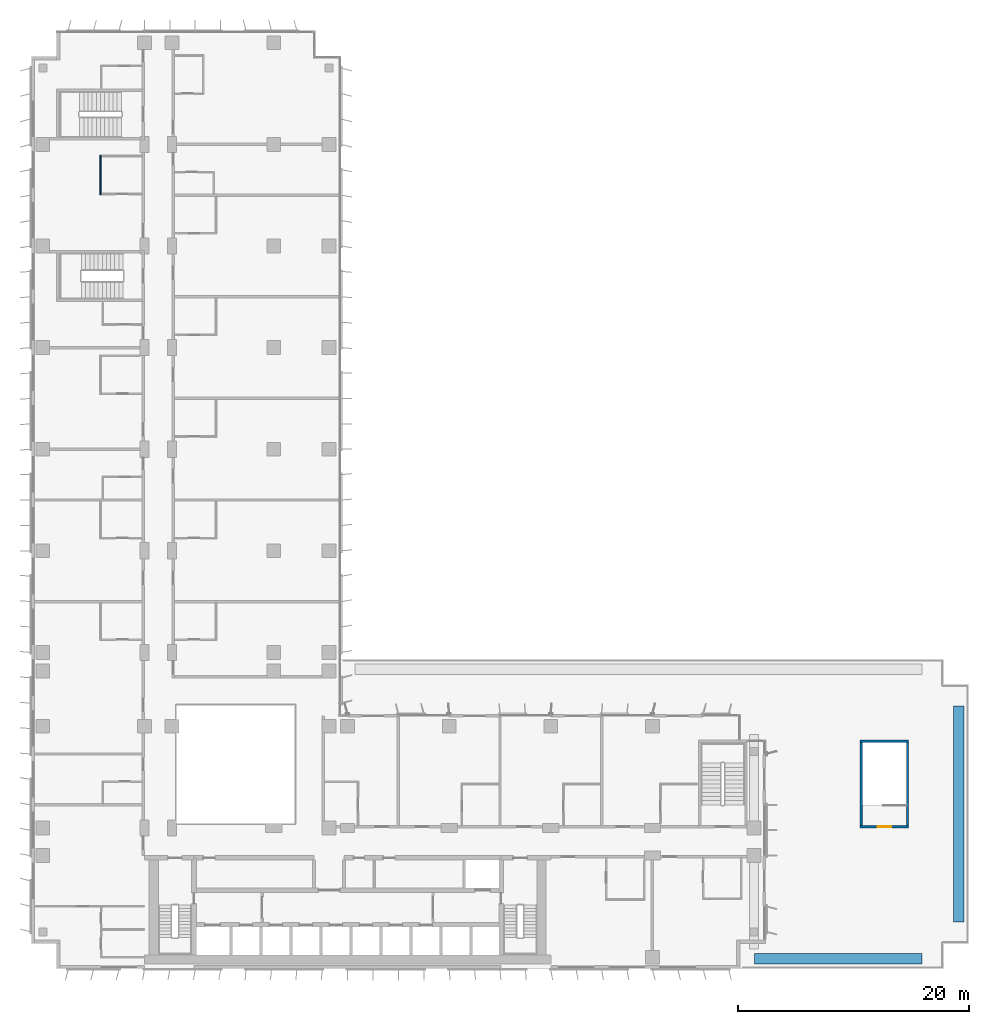
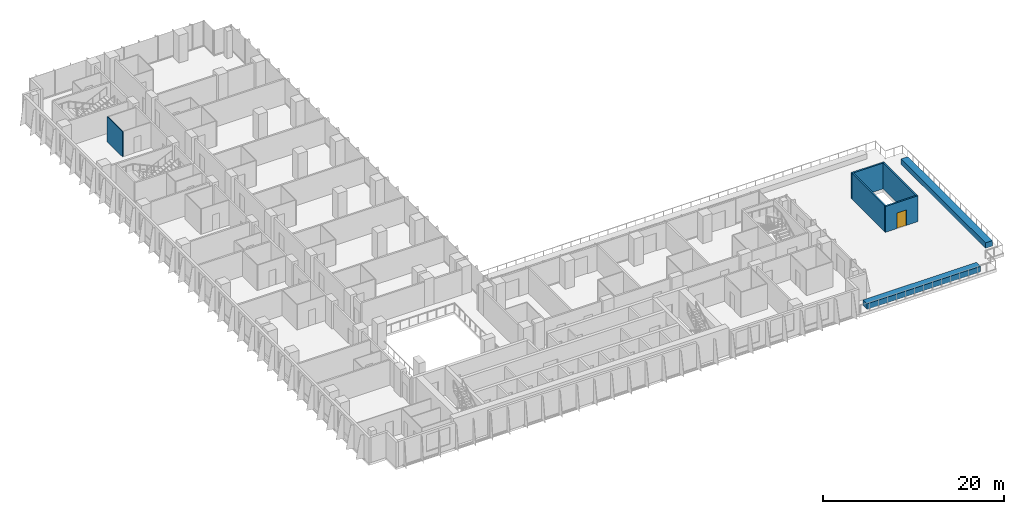
# One storey, part 20 of 27: 7 walls, 1 door, 1 opening.
"""IFC4 building model written with IfcOpenShell, lengths in metres."""

from ifc_helpers import new_model, si_unit, direction, frame, frame_2d, origin, place, context, subcontext, project, spatial, rectangle, extrude, material, layer, layer_set, type_object, element, fill, save


model = new_model("IFC4")

# Units and contexts
model_context = context("Model", 3, precision=1e-05, world=origin(), true_north=direction((0.0, 1.0)))
body_context = subcontext(model_context, "Body", "Model", "MODEL_VIEW")
ifc_project = project(units=[si_unit("LENGTHUNIT", "METRE"), si_unit("AREAUNIT", "SQUARE_METRE"), si_unit("VOLUMEUNIT", "CUBIC_METRE"), si_unit("PLANEANGLEUNIT", "RADIAN"), si_unit("MASSUNIT", "GRAM", prefix="KILO")], contexts=[model_context])

# Site, building, storey
site_placement = place(None, origin())
site = spatial("IfcSite", under=ifc_project, at=site_placement, CompositionType="ELEMENT")
building_placement = place(site_placement, origin())
building = spatial("IfcBuilding", under=site, at=building_placement, Name="Kemantara Hotel Tower", CompositionType="ELEMENT")
storey_placement = place(building_placement, frame((0.0, 0.0, 83.39990234375)))
storey = spatial("IfcBuildingStorey", under=building, at=storey_placement, Name="L19", CompositionType="ELEMENT", Elevation=83.39990234375)

# Wall, opening, door
ifc_material_1 = material(Name="Concrete fc 40 MPa", Category="concrete")
ifc_layer_1 = layer(ifc_material_1, 0.199951171875)
ifc_layer_set_1 = layer_set([ifc_layer_1], Name="Concrete fc 40 MPa")
wall_type_1 = type_object("IfcWallType", Name="Concrete stair wall 200 mm", PredefinedType="SHEAR", material=ifc_layer_set_1)
wall_1_placement = place(storey_placement, frame((71.800048828125, 12.300048828125, 0.0), z_axis=(0.0, 0.0, 1.0), x_axis=(1.0, 0.0, 0.0)))
wall_1 = element("IfcWall", 1, at=wall_1_placement, inside=storey, type_object=wall_type_1, Name="Stair ST5 enclosure wall with door", PredefinedType="SHEAR", context=body_context, shape_type="SweptSolid", body=[
    extrude(rectangle(XDim=4.199951171875, YDim=0.199951171875, at=frame_2d((2.10009765625, 0.0))), origin(), (0.0, 0.0, 1.0), 3.5),
])
opening_placement = place(wall_1_placement, frame((1.5, 0.0, 0.0)))
opening = element("IfcOpeningElement", 2, at=opening_placement, cuts=wall_1, Name="Opening ST5-C", PredefinedType="OPENING", context=body_context, shape_type="SweptSolid", body=[
    extrude(rectangle(XDim=1.199951171875, YDim=2.10009765625, at=frame_2d((0.60009765625, 1.050048828125))), frame((0.0, 0.10986328125, 0.0), z_axis=(0.0, -1.0, 0.0), x_axis=(1.0, 0.0, 0.0)), (0.0, 0.0, 1.0), 0.219970703125),
])
ifc_material_2 = material(Name="Steel fire door", Category="steel")
door_type = type_object("IfcDoorType", Name="Fire door FD90 1200 x 2100", OperationType="NOTDEFINED", PredefinedType="DOOR", material=ifc_material_2)
door_placement = place(opening_placement, frame((1.199951171875, 0.0, 0.0), z_axis=(0.0, 0.0, 1.0), x_axis=(-1.0, 0.0, 0.0)))
door = element("IfcDoor", 3, at=door_placement, inside=storey, type_object=door_type, Name="Stair ST5 door to terrace", OperationType="SINGLE_SWING_LEFT", OverallHeight=2.10009765625, OverallWidth=1.199951171875, PredefinedType="DOOR", context=body_context, shape_type="SweptSolid", body=[
    extrude(rectangle(XDim=1.199951171875, YDim=2.10009765625, at=frame_2d((0.60009765625, 1.050048828125))), frame((0.0, 0.02490234375, 0.0), z_axis=(0.0, -1.0, 0.0), x_axis=(1.0, 0.0, 0.0)), (0.0, 0.0, 1.0), 0.050048828125),
])
fill(opening, door)

# Walls
wall_2_placement = place(storey_placement, frame((71.800048828125, 19.699951171875, 0.0), z_axis=(0.0, 0.0, 1.0), x_axis=(1.0, 0.0, 0.0)))
element("IfcWall", 4, at=wall_2_placement, inside=storey, type_object=wall_type_1, Name="Stair ST5 enclosure wall N", PredefinedType="SHEAR", context=body_context, shape_type="SweptSolid", body=[
    extrude(rectangle(XDim=4.199951171875, YDim=0.199951171875, at=frame_2d((2.10009765625, 0.0))), origin(), (0.0, 0.0, 1.0), 3.5),
])
for number, where, z_axis, x_axis, name in (
    (5, (71.89990234375, 12.39990234375, 0.0), (0.0, 0.0, 1.0), (0.0, 1.0, 0.0), "Stair ST5 enclosure wall W"),
    (6, (75.89990234375, 12.39990234375, 0.0), (0.0, 0.0, 1.0), (0.0, 1.0, 0.0), "Stair ST5 enclosure wall E"),
):
    element("IfcWall", number, at=place(storey_placement, frame(where, z_axis=z_axis, x_axis=x_axis)), inside=storey, type_object=wall_type_1, Name=name, PredefinedType="SHEAR", context=body_context, shape_type="SweptSolid", body=[
        extrude(rectangle(XDim=7.2001953125, YDim=0.199951171875, at=frame_2d((3.60009765625, 0.0))), origin(), (0.0, 0.0, 1.0), 3.5),
    ])
ifc_material_3 = material(Name="Concrete K-350 (fc 29 MPa)", Category="concrete")
ifc_layer_2 = layer(ifc_material_3, 0.89990234375)
ifc_layer_set_2 = layer_set([ifc_layer_2], Name="Concrete K-350 (fc 29 MPa)")
wall_type_2 = type_object("IfcWallType", Name="PLANTER, RAISED CONCRETE TROUGH 900x700", PredefinedType="STANDARD", material=ifc_layer_set_2)
wall_3_placement = place(storey_placement, frame((80.35009765625, 22.75, -0.0498046875), z_axis=(0.0, 0.0, 1.0), x_axis=(0.0, -1.0, 0.0)))
element("IfcWall", 7, at=wall_3_placement, inside=storey, type_object=wall_type_2, Name="PLANTER TERRACE-S1-1.2", PredefinedType="STANDARD", context=body_context, shape_type="SweptSolid", body=[
    extrude(rectangle(XDim=18.699951171875, YDim=0.89990234375, at=frame_2d((9.35009765625, 0.0))), origin(), (0.0, 0.0, 1.0), 0.75),
])
wall_4_placement = place(storey_placement, frame((77.14990234375, 0.85009765625, -0.0498046875), z_axis=(0.0, 0.0, 1.0), x_axis=(-1.0, 0.0, 0.0)))
element("IfcWall", 8, at=wall_4_placement, inside=storey, type_object=wall_type_2, Name="PLANTER TERRACE-S1-1.3", PredefinedType="STANDARD", context=body_context, shape_type="SweptSolid", body=[
    extrude(rectangle(XDim=14.5, YDim=0.89990234375, at=frame_2d((7.25, 0.0))), origin(), (0.0, 0.0, 1.0), 0.75),
])
ifc_material_4 = material(Name="Gypsum board partition on steel studs, 100 mm", Category="steel")
ifc_layer_3 = layer(ifc_material_4, 0.10009765625)
ifc_layer_set_3 = layer_set([ifc_layer_3], Name="Gypsum board partition on steel studs, 100 mm")
wall_type_3 = type_object("IfcWallType", Name="ROOM PARTITION 100", PredefinedType="PARTITIONING", material=ifc_layer_set_3)
wall_5_placement = place(storey_placement, frame((6.0, 67.050048828125, 0.0), z_axis=(0.0, 0.0, 1.0), x_axis=(0.0, 1.0, 0.0)))
element("IfcWall", 9, at=wall_5_placement, inside=storey, type_object=wall_type_3, Name="ROOM PARTITION 100 071", PredefinedType="PARTITIONING", context=body_context, shape_type="SweptSolid", body=[
    extrude(rectangle(XDim=3.39990234375, YDim=0.10009765625, at=frame_2d((1.699951171875, 0.0))), origin(), (0.0, 0.0, 1.0), 3.400146484375),
])

save(model, "model.ifc")
